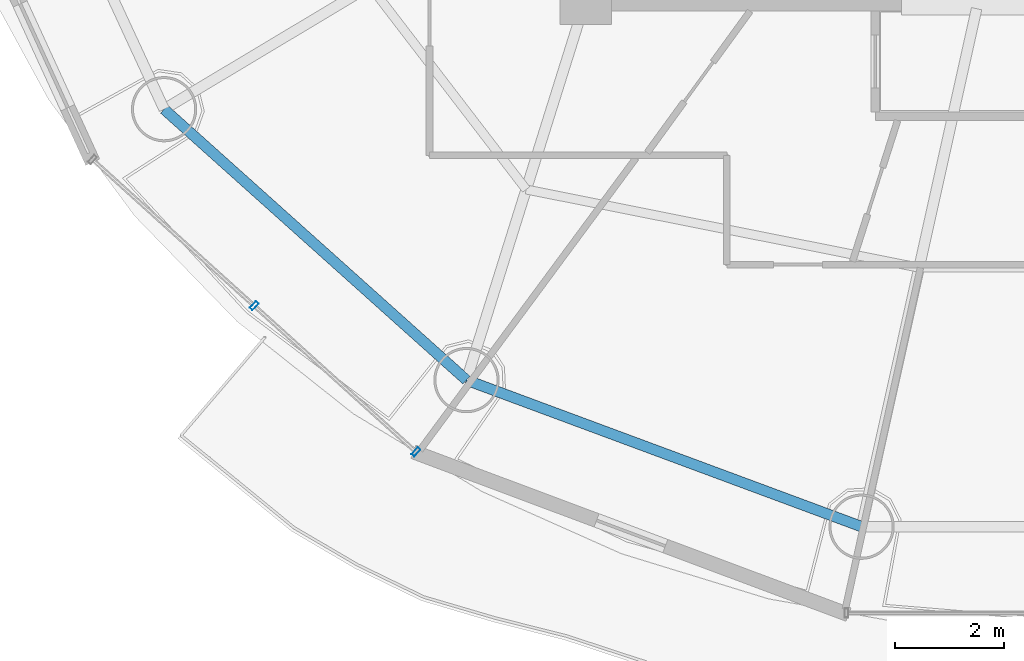
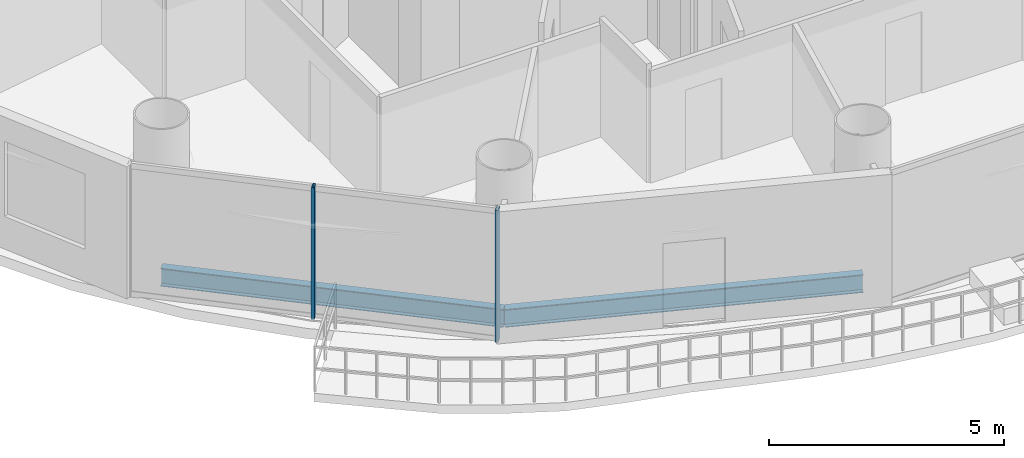
# One storey, part 2 of 27: 2 beams, 2 members, 1 element without a shape of its own.
"""IFC4 building model written with IfcOpenShell, lengths in metres."""

from ifc_helpers import new_model, si_unit, direction, frame, origin, origin_2d, place, context, subcontext, project, spatial, hollow_rectangle, i_section, extrude, source, transform, mapped, material, material_profile, profile_set, type_object, element, aggregate, save


model = new_model("IFC4")

# Units and contexts
model_context = context("Model", 3, precision=1e-05, world=origin(), true_north=direction((-0.2419218956, 0.970295726276)))
body_context = subcontext(model_context, "Body", "Model", "MODEL_VIEW")
ifc_project = project(units=[si_unit("LENGTHUNIT", "METRE"), si_unit("AREAUNIT", "SQUARE_METRE"), si_unit("VOLUMEUNIT", "CUBIC_METRE"), si_unit("PLANEANGLEUNIT", "RADIAN"), si_unit("MASSUNIT", "GRAM", prefix="KILO")], contexts=[model_context])

# Site, building, storey
site_placement = place(None, origin())
site = spatial("IfcSite", under=ifc_project, at=site_placement, CompositionType="ELEMENT")
building_placement = place(site_placement, origin())
building = spatial("IfcBuilding", under=site, at=building_placement, Name="Cobrevalo Terracotta Tower", CompositionType="ELEMENT")
storey_placement = place(building_placement, frame((0.0, 0.0, 194.89990234375)))
storey = spatial("IfcBuildingStorey", under=building, at=storey_placement, Name="L51", CompositionType="ELEMENT", Elevation=194.89990234375)

# Beams
ifc_material_1 = material(Name="Steel S355", Category="steel")
ifc_material_profile_1 = material_profile(ifc_material_1, i_section(OverallWidth=0.194091796875, OverallDepth=0.468994140625, WebThickness=0.011474609375, FlangeThickness=0.0205078125, at=origin_2d()), Name="W 460x106")
ifc_profile_set_1 = profile_set([ifc_material_profile_1], Name="Steel S355")
beam_type = type_object("IfcBeamType", Name="Structural Spandrel W 460x106 (Steel S355)", PredefinedType="SPANDREL", material=ifc_profile_set_1)
beam_1_placement = place(storey_placement, frame((21.245849609375, 16.77197265625, -0.49951171875), z_axis=(0.744851930997, -0.667229796165, 0.0), x_axis=(0.667229796165, 0.744851930997, 0.0)))
element("IfcBeam", 1, at=beam_1_placement, inside=storey, type_object=beam_type, Name="L51 perimeter ring spandrel 10", PredefinedType="SPANDREL", context=body_context, shape_type="SweptSolid", body=[
    extrude(i_section(OverallWidth=0.194091796875, OverallDepth=0.468994140625, WebThickness=0.011474609375, FlangeThickness=0.0205078125, at=origin_2d()), origin(), (0.0, 0.0, 1.0), 7.463623046875),
])
beam_2_placement = place(storey_placement, frame((26.80517578125, 11.7919921875, -0.49951171875), z_axis=(0.937545996665, -0.347861328892, 0.0), x_axis=(0.347861328892, 0.937545996665, 0.0)))
element("IfcBeam", 2, at=beam_2_placement, inside=storey, type_object=beam_type, Name="L51 perimeter ring spandrel 11", PredefinedType="SPANDREL", context=body_context, shape_type="SweptSolid", body=[
    extrude(i_section(OverallWidth=0.194091796875, OverallDepth=0.468994140625, WebThickness=0.011474609375, FlangeThickness=0.0205078125, at=origin_2d()), origin(), (0.0, 0.0, 1.0), 7.74755859375),
])

# Curtain wall, members
ifc_material_2 = material(Name="Anodized aluminium", Category="aluminium")
curtain_wall_type = type_object("IfcCurtainWallType", Name="Mid-tower high-wind unitised curtain wall CW-U2", PredefinedType="NOTDEFINED", material=ifc_material_2)
curtain_wall_placement = place(storey_placement, origin())
curtain_wall = element("IfcCurtainWall", 3, at=curtain_wall_placement, inside=storey, type_object=curtain_wall_type, Name="L51 curtain wall CW-L51-S10", PredefinedType="NOTDEFINED")
ifc_material_profile_2 = material_profile(ifc_material_2, hollow_rectangle(XDim=0.070068359375, YDim=0.169921875, WallThickness=0.00439453125, at=origin_2d()), Name="CWM 70x170")
ifc_profile_set_2 = profile_set([ifc_material_profile_2], Name="Anodized aluminium")
member_type = type_object("IfcMemberType", Name="Upper tower unitised mullion 70x170", PredefinedType="MULLION", material=ifc_profile_set_2)
shared_shape = source(origin(), body_context, "Body", "SweptSolid", [
    extrude(hollow_rectangle(XDim=0.070068359375, YDim=0.169921875, WallThickness=0.00439453125, at=origin_2d()), origin(), (0.0, 0.0, 1.0), 3.43505859375),
])
member_1_placement = place(storey_placement, frame((22.902099609375, 13.158447265625, 0.0), z_axis=(0.0, 0.0, 1.0), x_axis=(0.741987542015, -0.670413668935, 0.0)))
member_1 = element("IfcMember", 4, at=member_1_placement, type_object=member_type, Name="CW-L51-S10 vertical mullion 02", PredefinedType="MULLION", context=body_context, shape_type="MappedRepresentation", body=[
    mapped(shared_shape, transform((0.0, 0.0, 0.0), scale=1.0)),
])
member_2_placement = place(storey_placement, frame((25.87548828125, 10.471923828125, 0.0), z_axis=(0.0, 0.0, 1.0), x_axis=(0.741987542015, -0.670413668935, 0.0)))
member_2 = element("IfcMember", 5, at=member_2_placement, type_object=member_type, Name="CW-L51-S10 vertical mullion 03", PredefinedType="MULLION", context=body_context, shape_type="MappedRepresentation", body=[
    mapped(shared_shape, transform((0.0, 0.0, 0.0), scale=1.0)),
])
aggregate(curtain_wall, [member_1, member_2])

save(model, "model.ifc")
